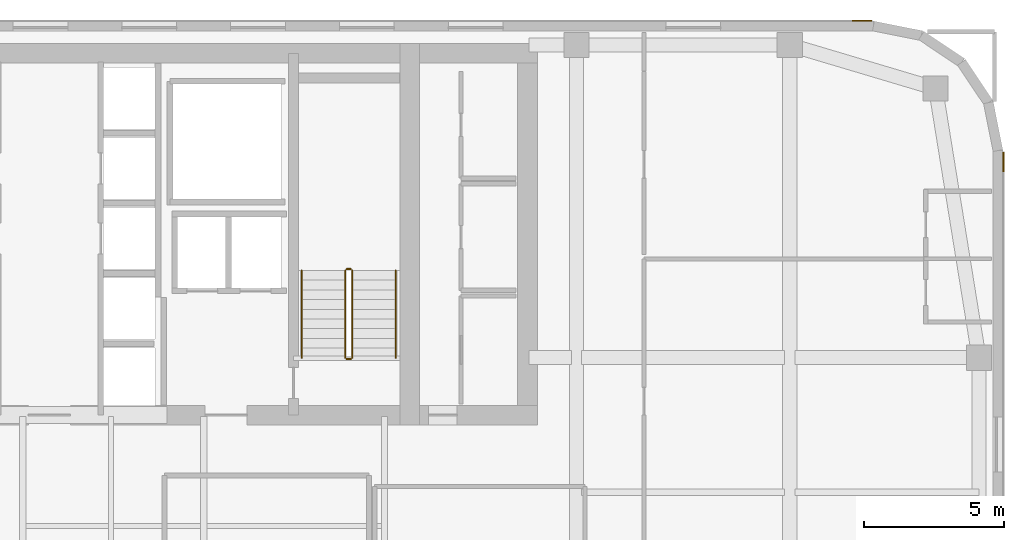
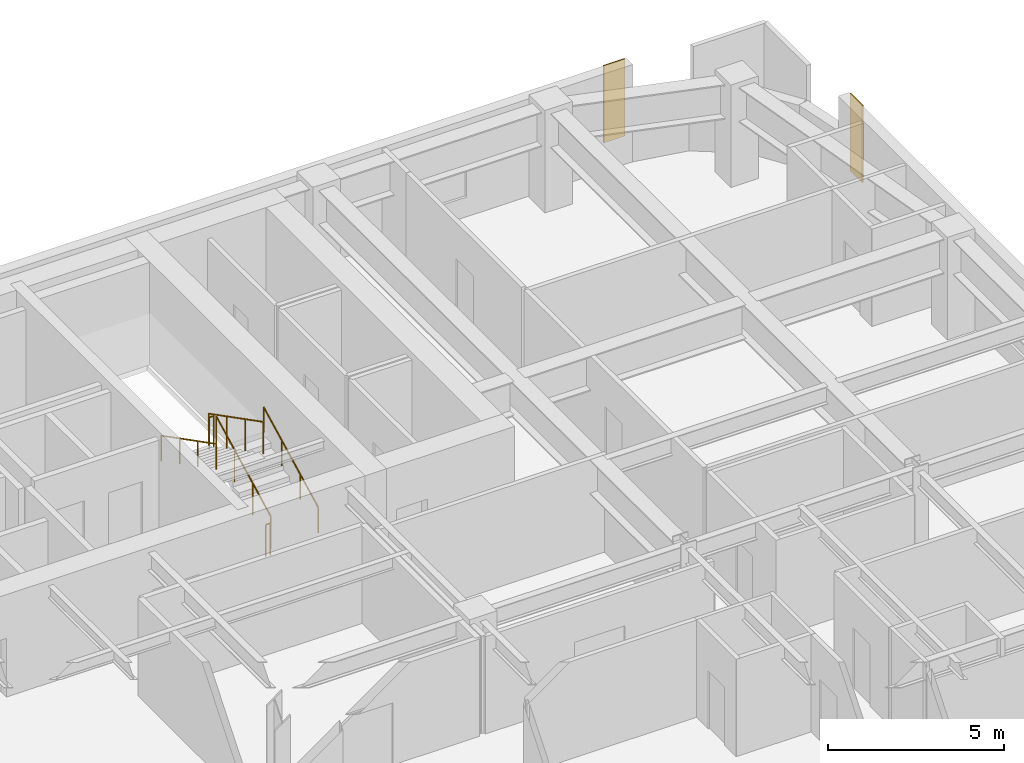
# One storey, part 25 of 25: 6 railings, 2 coverings.
"""IFC4 building model written with IfcOpenShell, lengths in metres."""

from ifc_helpers import new_model, si_unit, direction, frame, origin, origin_2d, place, context, subcontext, project, spatial, polyline, circle, outline, extrude, material, layer, layer_set, type_object, element, save


model = new_model("IFC4")

# Units and contexts
model_context = context("Model", 3, precision=1e-05, world=origin(), true_north=direction((0.0, 1.0)))
body_context = subcontext(model_context, "Body", "Model", "MODEL_VIEW")
ifc_project = project(units=[si_unit("LENGTHUNIT", "METRE"), si_unit("AREAUNIT", "SQUARE_METRE"), si_unit("VOLUMEUNIT", "CUBIC_METRE"), si_unit("PLANEANGLEUNIT", "RADIAN"), si_unit("MASSUNIT", "GRAM", prefix="KILO")], contexts=[model_context])

# Site, building, storey
site_placement = place(None, origin())
site = spatial("IfcSite", under=ifc_project, at=site_placement, CompositionType="ELEMENT")
building_placement = place(site_placement, origin())
building = spatial("IfcBuilding", under=site, at=building_placement, Name="Tolvann Quenvar Hotel", CompositionType="ELEMENT")
storey_placement = place(building_placement, frame((0.0, 0.0, 111.550048828125)))
storey = spatial("IfcBuildingStorey", under=building, at=storey_placement, Name="L28", CompositionType="ELEMENT", Elevation=111.550048828125)

# Coverings
ifc_material_1 = material(Name="Kiln-fired red architectural face brick cladding", Category="masonry")
ifc_layer = layer(ifc_material_1, 0.0400390625)
ifc_layer_set = layer_set([ifc_layer], Name="Kiln-fired red architectural face brick cladding")
covering_type = type_object("IfcCoveringType", Name="COV_CLAD_BRICK_40", PredefinedType="CLADDING", material=ifc_layer_set)
covering_1_placement = place(storey_placement, frame((0.0, 0.0, 0.699951171875)))
element("IfcCovering", 1, at=covering_1_placement, inside=storey, type_object=covering_type, Name="Brick Pier Cladding (L28-E13-P2)", PredefinedType="CLADDING", context=body_context, shape_type="SweptSolid", body=[
    extrude(outline(polyline([(57.0, 40.6328125), (57.0, 41.332763671875), (57.0400390625, 41.332763671875), (57.0400390625, 40.6328125), (57.0, 40.6328125)])), origin(), (0.0, 0.0, 1.0), 2.669921875),
])
covering_2_placement = place(storey_placement, frame((0.0, 0.0, 0.699951171875)))
element("IfcCovering", 2, at=covering_2_placement, inside=storey, type_object=covering_type, Name="Brick Pier Cladding (L28-E18-P1)", PredefinedType="CLADDING", context=body_context, shape_type="SweptSolid", body=[
    extrude(outline(polyline([(52.332763671875, 46.0), (51.6328125, 46.0), (51.6328125, 46.0400390625), (52.332763671875, 46.0400390625), (52.332763671875, 46.0)])), origin(), (0.0, 0.0, 1.0), 2.669921875),
])

# Railings
ifc_material_2 = material(Name="Brushed 316 stainless steel balustrade and handrail", Category="steel")
railing_type_1 = type_object("IfcRailingType", Name="GUARDRAIL", PredefinedType="GUARDRAIL", material=ifc_material_2)
railing_1_placement = place(storey_placement, frame((33.800048828125, 34.0, 0.177490234375)))
element("IfcRailing", 3, at=railing_1_placement, inside=storey, type_object=railing_type_1, Name="L28 ST-C2 stair guard 1", PredefinedType="GUARDRAIL", context=body_context, shape_type="SweptSolid", body=[
    extrude(circle(Radius=0.02392578125, at=origin_2d()), frame((0.0, 0.0, 1.09619140625), z_axis=(0.0, 0.889221982265, 0.45747597342), x_axis=(-1.0, 0.0, 0.0)), (0.0, 0.0, 1.0), 3.49169921875),
    extrude(circle(Radius=0.02099609375, at=origin_2d()), origin(), (0.0, 0.0, 1.0), 1.072021484375),
    extrude(circle(Radius=0.02099609375, at=origin_2d()), frame((0.0, 1.034912109375, 0.532470703125)), (0.0, 0.0, 1.0), 1.072021484375),
    extrude(circle(Radius=0.02099609375, at=origin_2d()), frame((0.0, 2.070068359375, 1.06494140625)), (0.0, 0.0, 1.0), 1.072021484375),
    extrude(circle(Radius=0.02099609375, at=origin_2d()), frame((0.0, 3.10498046875, 1.597412109375)), (0.0, 0.0, 1.0), 1.072021484375),
])
railing_2_placement = place(storey_placement, frame((33.75, 37.155029296875, 1.77490234375)))
element("IfcRailing", 4, at=railing_2_placement, inside=storey, type_object=railing_type_1, Name="L28 ST-C2 stair guard 2", PredefinedType="GUARDRAIL", context=body_context, shape_type="SweptSolid", body=[
    extrude(circle(Radius=0.02392578125, at=origin_2d()), frame((0.0, 0.0, 1.09619140625), z_axis=(-1.0, 0.0, 0.0), x_axis=(0.0, -1.0, 0.0)), (0.0, 0.0, 1.0), 0.14990234375),
    extrude(circle(Radius=0.02099609375, at=origin_2d()), origin(), (0.0, 0.0, 1.0), 1.072021484375),
    extrude(circle(Radius=0.02099609375, at=origin_2d()), frame((-0.14990234375, 0.0, 0.0)), (0.0, 0.0, 1.0), 1.072021484375),
])
railing_3_placement = place(storey_placement, frame((33.550048828125, 37.10498046875, 1.952392578125)))
element("IfcRailing", 5, at=railing_3_placement, inside=storey, type_object=railing_type_1, Name="L28 ST-C2 stair guard 3", PredefinedType="GUARDRAIL", context=body_context, shape_type="SweptSolid", body=[
    extrude(circle(Radius=0.02392578125, at=origin_2d()), frame((0.0, 0.0, 1.09619140625), z_axis=(0.0, -0.88919353882, 0.457531256332), x_axis=(1.0, 0.0, 0.0)), (0.0, 0.0, 1.0), 3.491943359375),
    extrude(circle(Radius=0.02099609375, at=origin_2d()), origin(), (0.0, 0.0, 1.0), 1.072021484375),
    extrude(circle(Radius=0.02099609375, at=origin_2d()), frame((0.0, -1.034912109375, 0.532470703125)), (0.0, 0.0, 1.0), 1.072021484375),
    extrude(circle(Radius=0.02099609375, at=origin_2d()), frame((0.0, -2.070068359375, 1.065185546875)), (0.0, 0.0, 1.0), 1.072021484375),
    extrude(circle(Radius=0.02099609375, at=origin_2d()), frame((0.0, -3.10498046875, 1.59765625)), (0.0, 0.0, 1.0), 1.072021484375),
])
railing_4_placement = place(storey_placement, frame((33.75, 33.949951171875, 0.0)))
element("IfcRailing", 6, at=railing_4_placement, inside=storey, type_object=railing_type_1, Name="L28 ST-C2 stair guard 4", PredefinedType="GUARDRAIL", context=body_context, shape_type="SweptSolid", body=[
    extrude(circle(Radius=0.02392578125, at=origin_2d()), frame((0.0, 0.0, 1.09619140625), z_axis=(-1.0, 0.0, 0.0), x_axis=(0.0, -1.0, 0.0)), (0.0, 0.0, 1.0), 0.14990234375),
    extrude(circle(Radius=0.02099609375, at=origin_2d()), origin(), (0.0, 0.0, 1.0), 1.072021484375),
    extrude(circle(Radius=0.02099609375, at=origin_2d()), frame((-0.14990234375, 0.0, 0.0)), (0.0, 0.0, 1.0), 1.072021484375),
])
railing_type_2 = type_object("IfcRailingType", Name="HANDRAIL", PredefinedType="HANDRAIL", material=ifc_material_2)
railing_5_placement = place(storey_placement, frame((35.35009765625, 34.0, 0.177490234375)))
element("IfcRailing", 7, at=railing_5_placement, inside=storey, type_object=railing_type_2, Name="L28 ST-C2 stair handrail 1", PredefinedType="HANDRAIL", context=body_context, shape_type="SweptSolid", body=[
    extrude(circle(Radius=0.02392578125, at=origin_2d()), frame((0.0, 0.0, 0.8759765625), z_axis=(0.0, 0.889221982265, 0.45747597342), x_axis=(-1.0, 0.0, 0.0)), (0.0, 0.0, 1.0), 3.49169921875),
    extrude(circle(Radius=0.02099609375, at=origin_2d()), origin(), (0.0, 0.0, 1.0), 0.851806640625),
    extrude(circle(Radius=0.02099609375, at=origin_2d()), frame((0.0, 1.034912109375, 0.532470703125)), (0.0, 0.0, 1.0), 0.851806640625),
    extrude(circle(Radius=0.02099609375, at=origin_2d()), frame((0.0, 2.070068359375, 1.06494140625)), (0.0, 0.0, 1.0), 0.851806640625),
    extrude(circle(Radius=0.02099609375, at=origin_2d()), frame((0.0, 3.10498046875, 1.597412109375)), (0.0, 0.0, 1.0), 0.851806640625),
])
railing_6_placement = place(storey_placement, frame((32.0, 37.10498046875, 1.952392578125)))
element("IfcRailing", 8, at=railing_6_placement, inside=storey, type_object=railing_type_2, Name="L28 ST-C2 stair handrail 2", PredefinedType="HANDRAIL", context=body_context, shape_type="SweptSolid", body=[
    extrude(circle(Radius=0.02392578125, at=origin_2d()), frame((0.0, 0.0, 0.8759765625), z_axis=(0.0, -0.88919353882, 0.457531256332), x_axis=(1.0, 0.0, 0.0)), (0.0, 0.0, 1.0), 3.491943359375),
    extrude(circle(Radius=0.02099609375, at=origin_2d()), origin(), (0.0, 0.0, 1.0), 0.851806640625),
    extrude(circle(Radius=0.02099609375, at=origin_2d()), frame((0.0, -1.034912109375, 0.532470703125)), (0.0, 0.0, 1.0), 0.851806640625),
    extrude(circle(Radius=0.02099609375, at=origin_2d()), frame((0.0, -2.070068359375, 1.065185546875)), (0.0, 0.0, 1.0), 0.851806640625),
    extrude(circle(Radius=0.02099609375, at=origin_2d()), frame((0.0, -3.10498046875, 1.59765625)), (0.0, 0.0, 1.0), 0.851806640625),
])

save(model, "model.ifc")
